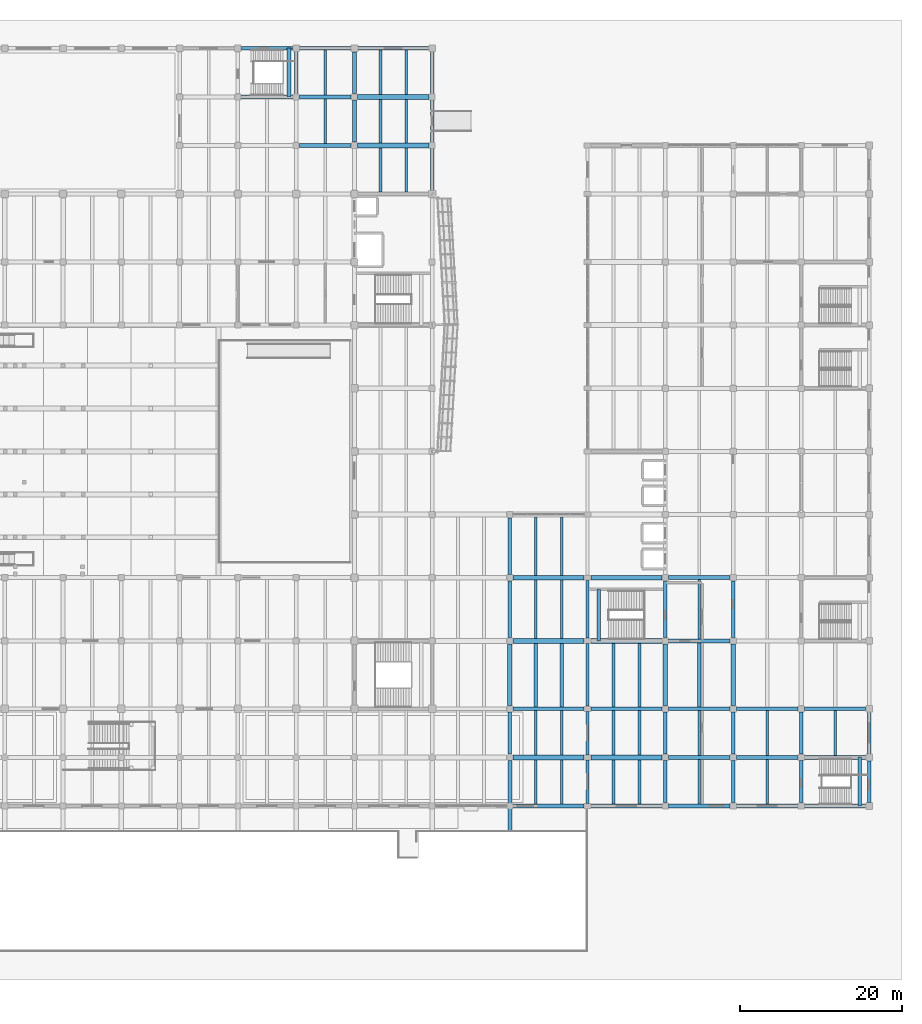
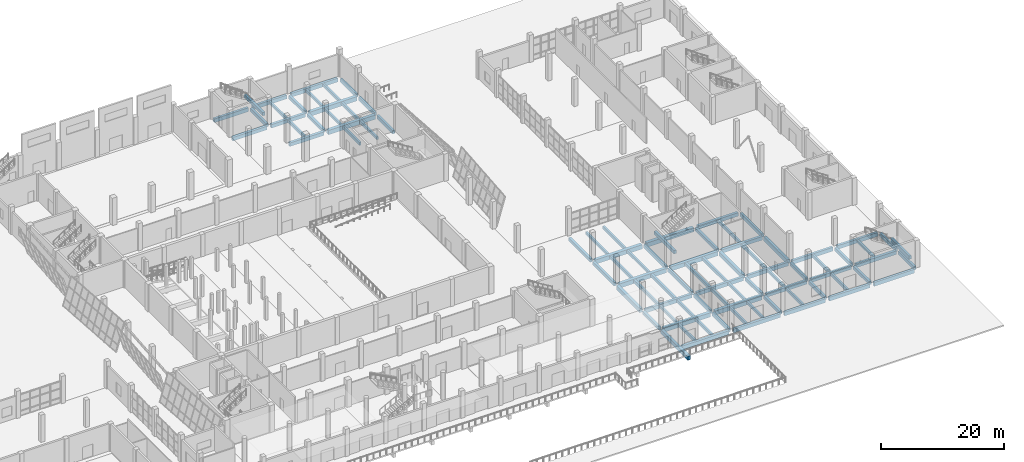
# One storey, part 33 of 78: 90 beams.
"""IFC4 building model written with IfcOpenShell, lengths in metres."""

from ifc_helpers import new_model, si_unit, direction, frame, origin, origin_2d, place, context, subcontext, project, spatial, rectangle, extrude, material, material_profile, profile_set, type_object, element, save


model = new_model("IFC4")

# Units and contexts
model_context = context("Model", 3, precision=1e-05, world=origin(), true_north=direction((0.0, 1.0)))
body_context = subcontext(model_context, "Body", "Model", "MODEL_VIEW")
ifc_project = project(units=[si_unit("LENGTHUNIT", "METRE"), si_unit("AREAUNIT", "SQUARE_METRE"), si_unit("VOLUMEUNIT", "CUBIC_METRE"), si_unit("PLANEANGLEUNIT", "RADIAN"), si_unit("MASSUNIT", "GRAM", prefix="KILO")], contexts=[model_context])

# Site, building, storey
site_placement = place(None, origin())
site = spatial("IfcSite", under=ifc_project, at=site_placement, CompositionType="ELEMENT")
building_placement = place(site_placement, origin())
building = spatial("IfcBuilding", under=site, at=building_placement, Name="Pellamere Symphony Hall", CompositionType="ELEMENT")
storey_placement = place(building_placement, origin())
storey = spatial("IfcBuildingStorey", under=building, at=storey_placement, Name="L00", CompositionType="ELEMENT", Elevation=0.0)

# Beams
ifc_material_1 = material(Name="Concrete 40 MPa", Category="concrete")
ifc_material_profile_1 = material_profile(ifc_material_1, rectangle(XDim=0.60009765625, YDim=0.85009765625, at=origin_2d()), Name="RC 600x850")
ifc_profile_set_1 = profile_set([ifc_material_profile_1], Name="Concrete 40 MPa")
beam_type_1 = type_object("IfcBeamType", Name="RC CB-04 600x850", PredefinedType="BEAM", material=ifc_profile_set_1)
for number, where, z_axis, x_axis, name in (
    (1, (128.800048828125, 24.0, -0.72509765625), (1.0, 0.0, 0.0), (0.0, 1.0, 0.0), "Girder CB-04-X0045 (L00)"),
    (2, (138.449951171875, 24.0, -0.72509765625), (1.0, 0.0, 0.0), (0.0, 1.0, 0.0), "Girder CB-04-X0046 (L00)"),
    (3, (128.800048828125, 38.39990234375, -0.72509765625), (1.0, 0.0, 0.0), (0.0, 1.0, 0.0), "Girder CB-04-X0084 (L00)"),
    (4, (138.449951171875, 38.39990234375, -0.72509765625), (1.0, 0.0, 0.0), (0.0, 1.0, 0.0), "Girder CB-04-X0085 (L00)"),
    (5, (128.800048828125, 46.199951171875, -0.72509765625), (1.0, 0.0, 0.0), (0.0, 1.0, 0.0), "Girder CB-04-X0105 (L00)"),
    (6, (138.449951171875, 46.199951171875, -0.72509765625), (1.0, 0.0, 0.0), (0.0, 1.0, 0.0), "Girder CB-04-X0106 (L00)"),
):
    element("IfcBeam", number, at=place(storey_placement, frame(where, z_axis=z_axis, x_axis=x_axis)), inside=storey, type_object=beam_type_1, Name=name, PredefinedType="BEAM", context=body_context, shape_type="SweptSolid", body=[
        extrude(rectangle(XDim=0.60009765625, YDim=0.85009765625, at=origin_2d()), origin(), (0.0, 0.0, 1.0), 8.75),
    ])
for number, where, z_axis, x_axis, name in (
    (7, (109.60009765625, 99.60009765625, -0.72509765625), (1.0, 0.0, 0.0), (0.0, 1.0, 0.0), "Girder CB-04-X0178 (L00)"),
    (8, (109.60009765625, 105.60009765625, -0.72509765625), (1.0, 0.0, 0.0), (0.0, 1.0, 0.0), "Girder CB-04-X0187 (L00)"),
):
    element("IfcBeam", number, at=place(storey_placement, frame(where, z_axis=z_axis, x_axis=x_axis)), inside=storey, type_object=beam_type_1, Name=name, PredefinedType="BEAM", context=body_context, shape_type="SweptSolid", body=[
        extrude(rectangle(XDim=0.60009765625, YDim=0.85009765625, at=origin_2d()), origin(), (0.0, 0.0, 1.0), 8.7998046875),
    ])
ifc_material_profile_2 = material_profile(ifc_material_1, rectangle(XDim=0.550048828125, YDim=0.800048828125, at=origin_2d()), Name="RC 550x800")
ifc_profile_set_2 = profile_set([ifc_material_profile_2], Name="Concrete 40 MPa")
beam_type_2 = type_object("IfcBeamType", Name="RC CB-05 550x800", PredefinedType="BEAM", material=ifc_profile_set_2)
for number, where, z_axis, x_axis, name in (
    (9, (128.39990234375, 30.39990234375, -0.699951171875), (0.0, 1.0, 0.0), (-1.0, 0.0, 0.0), "Girder CB-05-Y0332 (L00)"),
    (10, (147.60009765625, 30.39990234375, -0.699951171875), (0.0, 1.0, 0.0), (-1.0, 0.0, 0.0), "Girder CB-05-Y0348 (L00)"),
    (11, (156.0, 30.39990234375, -0.699951171875), (0.0, 1.0, 0.0), (-1.0, 0.0, 0.0), "Girder CB-05-Y0359 (L00)"),
):
    element("IfcBeam", number, at=place(storey_placement, frame(where, z_axis=z_axis, x_axis=x_axis)), inside=storey, type_object=beam_type_2, Name=name, PredefinedType="BEAM", context=body_context, shape_type="SweptSolid", body=[
        extrude(rectangle(XDim=0.550048828125, YDim=0.800048828125, at=origin_2d()), origin(), (0.0, 0.0, 1.0), 7.60009765625),
    ])
ifc_material_profile_3 = material_profile(ifc_material_1, rectangle(XDim=0.52001953125, YDim=0.780029296875, at=origin_2d()), Name="RC 520x780")
ifc_profile_set_3 = profile_set([ifc_material_profile_3], Name="Concrete 40 MPa")
beam_type_3 = type_object("IfcBeamType", Name="RC CB-06 520x780", PredefinedType="BEAM", material=ifc_profile_set_3)
beam_1_placement = place(storey_placement, frame((128.39990234375, 14.800048828125, -0.68994140625), z_axis=(0.0, 1.0, 0.0), x_axis=(-1.0, 0.0, 0.0)))
element("IfcBeam", 12, at=beam_1_placement, inside=storey, type_object=beam_type_3, Name="Continuous Cantilever Terrace Girder CB-06-0330 (L00)", PredefinedType="BEAM", context=body_context, shape_type="SweptSolid", body=[
    extrude(rectangle(XDim=0.52001953125, YDim=0.780029296875, at=origin_2d()), origin(), (0.0, 0.0, 1.0), 8.800048828125),
])
ifc_material_profile_4 = material_profile(ifc_material_1, rectangle(XDim=0.5, YDim=0.699951171875, at=origin_2d()), Name="RC 500x700")
ifc_profile_set_4 = profile_set([ifc_material_profile_4], Name="Concrete 40 MPa")
beam_type_4 = type_object("IfcBeamType", Name="RC CB-07 500x700", PredefinedType="BEAM", material=ifc_profile_set_4)
for number, where, z_axis, x_axis, name in (
    (13, (148.0, 24.0, -0.64990234375), (1.0, 0.0, 0.0), (0.0, 1.0, 0.0), "Girder CB-07-X0047 (L00)"),
    (14, (156.39990234375, 24.0, -0.64990234375), (1.0, 0.0, 0.0), (0.0, 1.0, 0.0), "Girder CB-07-X0048 (L00)"),
):
    element("IfcBeam", number, at=place(storey_placement, frame(where, z_axis=z_axis, x_axis=x_axis)), inside=storey, type_object=beam_type_4, Name=name, PredefinedType="BEAM", context=body_context, shape_type="SweptSolid", body=[
        extrude(rectangle(XDim=0.5, YDim=0.699951171875, at=origin_2d()), origin(), (0.0, 0.0, 1.0), 7.60009765625),
    ])
beam_2_placement = place(storey_placement, frame((164.800048828125, 24.0, -0.64990234375), z_axis=(1.0, 0.0, 0.0), x_axis=(0.0, 1.0, 0.0)))
element("IfcBeam", 15, at=beam_2_placement, inside=storey, type_object=beam_type_4, Name="Girder CB-07-X0049 (L00)", PredefinedType="BEAM", context=body_context, shape_type="SweptSolid", body=[
    extrude(rectangle(XDim=0.5, YDim=0.699951171875, at=origin_2d()), origin(), (0.0, 0.0, 1.0), 7.56005859375),
])
for number, where, z_axis, x_axis, name in (
    (16, (148.0, 38.39990234375, -0.64990234375), (1.0, 0.0, 0.0), (0.0, 1.0, 0.0), "Girder CB-07-X0086 (L00)"),
    (17, (148.0, 46.199951171875, -0.64990234375), (1.0, 0.0, 0.0), (0.0, 1.0, 0.0), "Girder CB-07-X0107 (L00)"),
):
    element("IfcBeam", number, at=place(storey_placement, frame(where, z_axis=z_axis, x_axis=x_axis)), inside=storey, type_object=beam_type_4, Name=name, PredefinedType="BEAM", context=body_context, shape_type="SweptSolid", body=[
        extrude(rectangle(XDim=0.5, YDim=0.699951171875, at=origin_2d()), origin(), (0.0, 0.0, 1.0), 7.60009765625),
    ])
for number, where, z_axis, x_axis, name in (
    (18, (102.39990234375, 99.60009765625, -0.64990234375), (1.0, 0.0, 0.0), (0.0, 1.0, 0.0), "Girder CB-07-X0177 (L00)"),
    (19, (95.199951171875, 105.60009765625, -0.64990234375), (1.0, 0.0, 0.0), (0.0, 1.0, 0.0), "Girder CB-07-X0185 (L00)"),
    (20, (102.39990234375, 105.60009765625, -0.64990234375), (1.0, 0.0, 0.0), (0.0, 1.0, 0.0), "Girder CB-07-X0186 (L00)"),
):
    element("IfcBeam", number, at=place(storey_placement, frame(where, z_axis=z_axis, x_axis=x_axis)), inside=storey, type_object=beam_type_4, Name=name, PredefinedType="BEAM", context=body_context, shape_type="SweptSolid", body=[
        extrude(rectangle(XDim=0.5, YDim=0.699951171875, at=origin_2d()), origin(), (0.0, 0.0, 1.0), 6.400146484375),
    ])
ifc_material_profile_5 = material_profile(ifc_material_1, rectangle(XDim=0.449951171875, YDim=0.64990234375, at=origin_2d()), Name="RC 450x650")
ifc_profile_set_5 = profile_set([ifc_material_profile_5], Name="Concrete 40 MPa")
beam_type_5 = type_object("IfcBeamType", Name="RC CB-08 450x650", PredefinedType="BEAM", material=ifc_profile_set_5)
beam_3_placement = place(storey_placement, frame((102.0, 106.0, -0.625), z_axis=(0.0, 1.0, 0.0), x_axis=(-1.0, 0.0, 0.0)))
element("IfcBeam", 21, at=beam_3_placement, inside=storey, type_object=beam_type_5, Name="Girder CB-08-Y0303 (L00)", PredefinedType="BEAM", context=body_context, shape_type="SweptSolid", body=[
    extrude(rectangle(XDim=0.449951171875, YDim=0.64990234375, at=origin_2d()), origin(), (0.0, 0.0, 1.0), 5.159912109375),
])
beam_4_placement = place(storey_placement, frame((109.199951171875, 100.0, -0.625), z_axis=(0.0, 1.0, 0.0), x_axis=(-1.0, 0.0, 0.0)))
element("IfcBeam", 22, at=beam_4_placement, inside=storey, type_object=beam_type_5, Name="Girder CB-08-Y0315 (L00)", PredefinedType="BEAM", context=body_context, shape_type="SweptSolid", body=[
    extrude(rectangle(XDim=0.449951171875, YDim=0.64990234375, at=origin_2d()), origin(), (0.0, 0.0, 1.0), 5.199951171875),
])
beam_5_placement = place(storey_placement, frame((109.199951171875, 106.0, -0.625), z_axis=(0.0, 1.0, 0.0), x_axis=(-1.0, 0.0, 0.0)))
element("IfcBeam", 23, at=beam_5_placement, inside=storey, type_object=beam_type_5, Name="Girder CB-08-Y0316 (L00)", PredefinedType="BEAM", context=body_context, shape_type="SweptSolid", body=[
    extrude(rectangle(XDim=0.449951171875, YDim=0.64990234375, at=origin_2d()), origin(), (0.0, 0.0, 1.0), 5.159912109375),
])
beam_6_placement = place(storey_placement, frame((128.39990234375, 24.39990234375, -0.625), z_axis=(0.0, 1.0, 0.0), x_axis=(-1.0, 0.0, 0.0)))
element("IfcBeam", 24, at=beam_6_placement, inside=storey, type_object=beam_type_5, Name="Girder CB-08-Y0331 (L00)", PredefinedType="BEAM", context=body_context, shape_type="SweptSolid", body=[
    extrude(rectangle(XDim=0.449951171875, YDim=0.64990234375, at=origin_2d()), origin(), (0.0, 0.0, 1.0), 5.2001953125),
])
for number, where, z_axis, x_axis, name in (
    (25, (128.39990234375, 38.800048828125, -0.625), (0.0, 1.0, 0.0), (-1.0, 0.0, 0.0), "Girder CB-08-Y0333 (L00)"),
    (26, (128.39990234375, 46.60009765625, -0.625), (0.0, 1.0, 0.0), (-1.0, 0.0, 0.0), "Girder CB-08-Y0334 (L00)"),
):
    element("IfcBeam", number, at=place(storey_placement, frame(where, z_axis=z_axis, x_axis=x_axis)), inside=storey, type_object=beam_type_5, Name=name, PredefinedType="BEAM", context=body_context, shape_type="SweptSolid", body=[
        extrude(rectangle(XDim=0.449951171875, YDim=0.64990234375, at=origin_2d()), origin(), (0.0, 0.0, 1.0), 7.0),
    ])
for number, where, z_axis, x_axis, name in (
    (27, (147.60009765625, 18.39990234375, -0.625), (0.0, 1.0, 0.0), (-1.0, 0.0, 0.0), "Girder CB-08-Y0346 (L00)"),
    (28, (147.60009765625, 24.39990234375, -0.625), (0.0, 1.0, 0.0), (-1.0, 0.0, 0.0), "Girder CB-08-Y0347 (L00)"),
):
    element("IfcBeam", number, at=place(storey_placement, frame(where, z_axis=z_axis, x_axis=x_axis)), inside=storey, type_object=beam_type_5, Name=name, PredefinedType="BEAM", context=body_context, shape_type="SweptSolid", body=[
        extrude(rectangle(XDim=0.449951171875, YDim=0.64990234375, at=origin_2d()), origin(), (0.0, 0.0, 1.0), 5.2001953125),
    ])
beam_7_placement = place(storey_placement, frame((147.60009765625, 38.800048828125, -0.625), z_axis=(0.0, 1.0, 0.0), x_axis=(-1.0, 0.0, 0.0)))
element("IfcBeam", 29, at=beam_7_placement, inside=storey, type_object=beam_type_5, Name="Girder CB-08-Y0349 (L00)", PredefinedType="BEAM", context=body_context, shape_type="SweptSolid", body=[
    extrude(rectangle(XDim=0.449951171875, YDim=0.64990234375, at=origin_2d()), origin(), (0.0, 0.0, 1.0), 7.0),
])
for number, where, z_axis, x_axis, name in (
    (30, (156.0, 18.39990234375, -0.625), (0.0, 1.0, 0.0), (-1.0, 0.0, 0.0), "Girder CB-08-Y0357 (L00)"),
    (31, (156.0, 24.39990234375, -0.625), (0.0, 1.0, 0.0), (-1.0, 0.0, 0.0), "Girder CB-08-Y0358 (L00)"),
):
    element("IfcBeam", number, at=place(storey_placement, frame(where, z_axis=z_axis, x_axis=x_axis)), inside=storey, type_object=beam_type_5, Name=name, PredefinedType="BEAM", context=body_context, shape_type="SweptSolid", body=[
        extrude(rectangle(XDim=0.449951171875, YDim=0.64990234375, at=origin_2d()), origin(), (0.0, 0.0, 1.0), 5.2001953125),
    ])
beam_8_placement = place(storey_placement, frame((156.0, 38.800048828125, -0.625), z_axis=(0.0, 1.0, 0.0), x_axis=(-1.0, 0.0, 0.0)))
element("IfcBeam", 32, at=beam_8_placement, inside=storey, type_object=beam_type_5, Name="Girder CB-08-Y0360 (L00)", PredefinedType="BEAM", context=body_context, shape_type="SweptSolid", body=[
    extrude(rectangle(XDim=0.449951171875, YDim=0.64990234375, at=origin_2d()), origin(), (0.0, 0.0, 1.0), 7.0),
])
for number, where, z_axis, x_axis, name in (
    (33, (164.39990234375, 18.39990234375, -0.625), (0.0, 1.0, 0.0), (-1.0, 0.0, 0.0), "Girder CB-08-Y0368 (L00)"),
    (34, (164.39990234375, 24.39990234375, -0.625), (0.0, 1.0, 0.0), (-1.0, 0.0, 0.0), "Girder CB-08-Y0369 (L00)"),
):
    element("IfcBeam", number, at=place(storey_placement, frame(where, z_axis=z_axis, x_axis=x_axis)), inside=storey, type_object=beam_type_5, Name=name, PredefinedType="BEAM", context=body_context, shape_type="SweptSolid", body=[
        extrude(rectangle(XDim=0.449951171875, YDim=0.64990234375, at=origin_2d()), origin(), (0.0, 0.0, 1.0), 5.2001953125),
    ])
beam_9_placement = place(storey_placement, frame((139.367431640625, 38.3798828125, 2.155029296875), z_axis=(0.0, 1.0, 0.0), x_axis=(-1.0, 0.0, 0.0)))
element("IfcBeam", 35, at=beam_9_placement, inside=storey, type_object=beam_type_5, Name="Stair ST02-L00 Half Landing Support Beam (L00)", PredefinedType="BEAM", context=body_context, shape_type="SweptSolid", body=[
    extrude(rectangle(XDim=0.449951171875, YDim=0.64990234375, at=origin_2d()), origin(), (0.0, 0.0, 1.0), 6.440185546875),
])
for number, where, z_axis, x_axis, name in (
    (36, (101.107421875, 105.580078125, 2.155029296875), (0.0, 1.0, 0.0), (-1.0, 0.0, 0.0), "Stair ST11-L00 Half Landing Support Beam (L00)"),
    (37, (171.607421875, 17.97998046875, 2.155029296875), (0.0, 1.0, 0.0), (-1.0, 0.0, 0.0), "Stair ST12-L00 Half Landing Support Beam (L00)"),
):
    element("IfcBeam", number, at=place(storey_placement, frame(where, z_axis=z_axis, x_axis=x_axis)), inside=storey, type_object=beam_type_5, Name=name, PredefinedType="BEAM", context=body_context, shape_type="SweptSolid", body=[
        extrude(rectangle(XDim=0.449951171875, YDim=0.64990234375, at=origin_2d()), origin(), (0.0, 0.0, 1.0), 6.0400390625),
    ])
ifc_material_profile_6 = material_profile(ifc_material_1, rectangle(XDim=0.39990234375, YDim=0.60009765625, at=origin_2d()), Name="RC 400x600")
ifc_profile_set_6 = profile_set([ifc_material_profile_6], Name="Concrete 40 MPa")
beam_type_6 = type_object("IfcBeamType", Name="RC CB-09 400x600", PredefinedType="BEAM", material=ifc_profile_set_6)
for number, where, z_axis, x_axis, name in (
    (38, (131.60009765625, 30.22509765625, -0.614990234375), (0.0, 1.0, 0.0), (-1.0, 0.0, 0.0), "Secondary Floor Beam CB-09-A1604 (L00)"),
    (39, (134.800048828125, 30.22509765625, -0.614990234375), (0.0, 1.0, 0.0), (-1.0, 0.0, 0.0), "Secondary Floor Beam CB-09-B1604 (L00)"),
    (40, (141.199951171875, 30.22509765625, -0.614990234375), (0.0, 1.0, 0.0), (-1.0, 0.0, 0.0), "Secondary Floor Beam CB-09-A1704 (L00)"),
    (41, (144.39990234375, 30.22509765625, -0.614990234375), (0.0, 1.0, 0.0), (-1.0, 0.0, 0.0), "Secondary Floor Beam CB-09-B1704 (L00)"),
):
    element("IfcBeam", number, at=place(storey_placement, frame(where, z_axis=z_axis, x_axis=x_axis)), inside=storey, type_object=beam_type_6, Name=name, PredefinedType="BEAM", context=body_context, shape_type="SweptSolid", body=[
        extrude(rectangle(XDim=0.39990234375, YDim=0.60009765625, at=origin_2d()), origin(), (0.0, 0.0, 1.0), 7.875),
    ])
beam_10_placement = place(storey_placement, frame((151.800048828125, 30.22509765625, -0.614990234375), z_axis=(0.0, 1.0, 0.0), x_axis=(-1.0, 0.0, 0.0)))
element("IfcBeam", 42, at=beam_10_placement, inside=storey, type_object=beam_type_6, Name="Secondary Floor Beam CB-09-M1804 (L00)", PredefinedType="BEAM", context=body_context, shape_type="SweptSolid", body=[
    extrude(rectangle(XDim=0.39990234375, YDim=0.60009765625, at=origin_2d()), origin(), (0.0, 0.0, 1.0), 7.9248046875),
])
ifc_material_2 = material(Name="Concrete 35 MPa", Category="concrete")
ifc_material_profile_7 = material_profile(ifc_material_2, rectangle(XDim=0.35009765625, YDim=0.550048828125, at=origin_2d()), Name="RC 350x550")
ifc_profile_set_7 = profile_set([ifc_material_profile_7], Name="Concrete 35 MPa")
beam_type_7 = type_object("IfcBeamType", Name="RC CB-10 350x550", PredefinedType="BEAM", material=ifc_profile_set_7)
beam_11_placement = place(storey_placement, frame((105.60009765625, 99.85009765625, -0.590087890625), z_axis=(0.0, 1.0, 0.0), x_axis=(-1.0, 0.0, 0.0)))
element("IfcBeam", 43, at=beam_11_placement, inside=storey, type_object=beam_type_7, Name="Secondary Floor Beam CB-10-M1313 (L00)", PredefinedType="BEAM", context=body_context, shape_type="SweptSolid", body=[
    extrude(rectangle(XDim=0.35009765625, YDim=0.550048828125, at=origin_2d()), origin(), (0.0, 0.0, 1.0), 5.5),
])
beam_12_placement = place(storey_placement, frame((105.60009765625, 105.85009765625, -0.590087890625), z_axis=(0.0, 1.0, 0.0), x_axis=(-1.0, 0.0, 0.0)))
element("IfcBeam", 44, at=beam_12_placement, inside=storey, type_object=beam_type_7, Name="Secondary Floor Beam CB-10-M1314 (L00)", PredefinedType="BEAM", context=body_context, shape_type="SweptSolid", body=[
    extrude(rectangle(XDim=0.35009765625, YDim=0.550048828125, at=origin_2d()), origin(), (0.0, 0.0, 1.0), 5.52490234375),
])
for number, where, z_axis, x_axis, name in (
    (45, (112.39990234375, 93.824951171875, -0.590087890625), (0.0, 1.0, 0.0), (-1.0, 0.0, 0.0), "Secondary Floor Beam CB-10-A1412 (L00)"),
    (46, (115.60009765625, 93.824951171875, -0.590087890625), (0.0, 1.0, 0.0), (-1.0, 0.0, 0.0), "Secondary Floor Beam CB-10-B1412 (L00)"),
):
    element("IfcBeam", number, at=place(storey_placement, frame(where, z_axis=z_axis, x_axis=x_axis)), inside=storey, type_object=beam_type_7, Name=name, PredefinedType="BEAM", context=body_context, shape_type="SweptSolid", body=[
        extrude(rectangle(XDim=0.35009765625, YDim=0.550048828125, at=origin_2d()), origin(), (0.0, 0.0, 1.0), 5.47509765625),
    ])
for number, where, z_axis, x_axis, name in (
    (47, (112.39990234375, 99.89990234375, -0.590087890625), (0.0, 1.0, 0.0), (-1.0, 0.0, 0.0), "Secondary Floor Beam CB-10-A1413 (L00)"),
    (48, (115.60009765625, 99.89990234375, -0.590087890625), (0.0, 1.0, 0.0), (-1.0, 0.0, 0.0), "Secondary Floor Beam CB-10-B1413 (L00)"),
):
    element("IfcBeam", number, at=place(storey_placement, frame(where, z_axis=z_axis, x_axis=x_axis)), inside=storey, type_object=beam_type_7, Name=name, PredefinedType="BEAM", context=body_context, shape_type="SweptSolid", body=[
        extrude(rectangle(XDim=0.35009765625, YDim=0.550048828125, at=origin_2d()), origin(), (0.0, 0.0, 1.0), 5.400146484375),
    ])
for number, where, z_axis, x_axis, name in (
    (49, (112.39990234375, 105.89990234375, -0.590087890625), (0.0, 1.0, 0.0), (-1.0, 0.0, 0.0), "Secondary Floor Beam CB-10-A1414 (L00)"),
    (50, (115.60009765625, 105.89990234375, -0.590087890625), (0.0, 1.0, 0.0), (-1.0, 0.0, 0.0), "Secondary Floor Beam CB-10-B1414 (L00)"),
):
    element("IfcBeam", number, at=place(storey_placement, frame(where, z_axis=z_axis, x_axis=x_axis)), inside=storey, type_object=beam_type_7, Name=name, PredefinedType="BEAM", context=body_context, shape_type="SweptSolid", body=[
        extrude(rectangle(XDim=0.35009765625, YDim=0.550048828125, at=origin_2d()), origin(), (0.0, 0.0, 1.0), 5.47509765625),
    ])
for number, where, z_axis, x_axis, name in (
    (51, (131.60009765625, 18.22509765625, -0.590087890625), (0.0, 1.0, 0.0), (-1.0, 0.0, 0.0), "Secondary Floor Beam CB-10-A1602 (L00)"),
    (52, (134.800048828125, 18.22509765625, -0.590087890625), (0.0, 1.0, 0.0), (-1.0, 0.0, 0.0), "Secondary Floor Beam CB-10-B1602 (L00)"),
    (53, (131.60009765625, 24.300048828125, -0.590087890625), (0.0, 1.0, 0.0), (-1.0, 0.0, 0.0), "Secondary Floor Beam CB-10-A1603 (L00)"),
    (54, (134.800048828125, 24.300048828125, -0.590087890625), (0.0, 1.0, 0.0), (-1.0, 0.0, 0.0), "Secondary Floor Beam CB-10-B1603 (L00)"),
):
    element("IfcBeam", number, at=place(storey_placement, frame(where, z_axis=z_axis, x_axis=x_axis)), inside=storey, type_object=beam_type_7, Name=name, PredefinedType="BEAM", context=body_context, shape_type="SweptSolid", body=[
        extrude(rectangle(XDim=0.35009765625, YDim=0.550048828125, at=origin_2d()), origin(), (0.0, 0.0, 1.0), 5.474853515625),
    ])
for number, where, z_axis, x_axis, name in (
    (55, (131.60009765625, 38.699951171875, -0.590087890625), (0.0, 1.0, 0.0), (-1.0, 0.0, 0.0), "Secondary Floor Beam CB-10-A1605 (L00)"),
    (56, (134.800048828125, 38.699951171875, -0.590087890625), (0.0, 1.0, 0.0), (-1.0, 0.0, 0.0), "Secondary Floor Beam CB-10-B1605 (L00)"),
    (57, (131.60009765625, 46.5, -0.590087890625), (0.0, 1.0, 0.0), (-1.0, 0.0, 0.0), "Secondary Floor Beam CB-10-A1606 (L00)"),
    (58, (134.800048828125, 46.5, -0.590087890625), (0.0, 1.0, 0.0), (-1.0, 0.0, 0.0), "Secondary Floor Beam CB-10-B1606 (L00)"),
):
    element("IfcBeam", number, at=place(storey_placement, frame(where, z_axis=z_axis, x_axis=x_axis)), inside=storey, type_object=beam_type_7, Name=name, PredefinedType="BEAM", context=body_context, shape_type="SweptSolid", body=[
        extrude(rectangle(XDim=0.35009765625, YDim=0.550048828125, at=origin_2d()), origin(), (0.0, 0.0, 1.0), 7.199951171875),
    ])
for number, where, z_axis, x_axis, name in (
    (59, (141.199951171875, 18.22509765625, -0.590087890625), (0.0, 1.0, 0.0), (-1.0, 0.0, 0.0), "Secondary Floor Beam CB-10-A1702 (L00)"),
    (60, (144.39990234375, 18.22509765625, -0.590087890625), (0.0, 1.0, 0.0), (-1.0, 0.0, 0.0), "Secondary Floor Beam CB-10-B1702 (L00)"),
    (61, (141.199951171875, 24.300048828125, -0.590087890625), (0.0, 1.0, 0.0), (-1.0, 0.0, 0.0), "Secondary Floor Beam CB-10-A1703 (L00)"),
    (62, (144.39990234375, 24.300048828125, -0.590087890625), (0.0, 1.0, 0.0), (-1.0, 0.0, 0.0), "Secondary Floor Beam CB-10-B1703 (L00)"),
):
    element("IfcBeam", number, at=place(storey_placement, frame(where, z_axis=z_axis, x_axis=x_axis)), inside=storey, type_object=beam_type_7, Name=name, PredefinedType="BEAM", context=body_context, shape_type="SweptSolid", body=[
        extrude(rectangle(XDim=0.35009765625, YDim=0.550048828125, at=origin_2d()), origin(), (0.0, 0.0, 1.0), 5.474853515625),
    ])
for number, where, z_axis, x_axis, name in (
    (63, (151.800048828125, 18.22509765625, -0.590087890625), (0.0, 1.0, 0.0), (-1.0, 0.0, 0.0), "Secondary Floor Beam CB-10-M1802 (L00)"),
    (64, (151.800048828125, 24.25, -0.590087890625), (0.0, 1.0, 0.0), (-1.0, 0.0, 0.0), "Secondary Floor Beam CB-10-M1803 (L00)"),
):
    element("IfcBeam", number, at=place(storey_placement, frame(where, z_axis=z_axis, x_axis=x_axis)), inside=storey, type_object=beam_type_7, Name=name, PredefinedType="BEAM", context=body_context, shape_type="SweptSolid", body=[
        extrude(rectangle(XDim=0.35009765625, YDim=0.550048828125, at=origin_2d()), origin(), (0.0, 0.0, 1.0), 5.52490234375),
    ])
beam_13_placement = place(storey_placement, frame((151.800048828125, 38.64990234375, -0.590087890625), z_axis=(0.0, 1.0, 0.0), x_axis=(-1.0, 0.0, 0.0)))
element("IfcBeam", 65, at=beam_13_placement, inside=storey, type_object=beam_type_7, Name="Secondary Floor Beam CB-10-M1805 (L00)", PredefinedType="BEAM", context=body_context, shape_type="SweptSolid", body=[
    extrude(rectangle(XDim=0.35009765625, YDim=0.550048828125, at=origin_2d()), origin(), (0.0, 0.0, 1.0), 7.300048828125),
])
for number, where, z_axis, x_axis, name in (
    (66, (160.199951171875, 18.22509765625, -0.590087890625), (0.0, 1.0, 0.0), (-1.0, 0.0, 0.0), "Secondary Floor Beam CB-10-M1902 (L00)"),
    (67, (160.199951171875, 24.25, -0.590087890625), (0.0, 1.0, 0.0), (-1.0, 0.0, 0.0), "Secondary Floor Beam CB-10-M1903 (L00)"),
    (68, (168.60009765625, 24.25, -0.590087890625), (0.0, 1.0, 0.0), (-1.0, 0.0, 0.0), "Secondary Floor Beam CB-10-M2003 (L00)"),
):
    element("IfcBeam", number, at=place(storey_placement, frame(where, z_axis=z_axis, x_axis=x_axis)), inside=storey, type_object=beam_type_7, Name=name, PredefinedType="BEAM", context=body_context, shape_type="SweptSolid", body=[
        extrude(rectangle(XDim=0.35009765625, YDim=0.550048828125, at=origin_2d()), origin(), (0.0, 0.0, 1.0), 5.52490234375),
    ])
ifc_material_profile_8 = material_profile(ifc_material_1, rectangle(XDim=0.449951171875, YDim=0.75, at=origin_2d()), Name="RC 450x750")
ifc_profile_set_8 = profile_set([ifc_material_profile_8], Name="Concrete 40 MPa")
beam_type_8 = type_object("IfcBeamType", Name="RC CB-12 450x750", PredefinedType="SPANDREL", material=ifc_profile_set_8)
for number, where, z_axis, x_axis, name in (
    (69, (128.800048828125, 18.0, -0.675048828125), (1.0, 0.0, 0.0), (0.0, 1.0, 0.0), "Girder CB-12-X0027 (L00)"),
    (70, (138.449951171875, 18.0, -0.675048828125), (1.0, 0.0, 0.0), (0.0, 1.0, 0.0), "Girder CB-12-X0028 (L00)"),
):
    element("IfcBeam", number, at=place(storey_placement, frame(where, z_axis=z_axis, x_axis=x_axis)), inside=storey, type_object=beam_type_8, Name=name, PredefinedType="SPANDREL", context=body_context, shape_type="SweptSolid", body=[
        extrude(rectangle(XDim=0.449951171875, YDim=0.75, at=origin_2d()), origin(), (0.0, 0.0, 1.0), 8.75),
    ])
for number, where, z_axis, x_axis, name in (
    (71, (148.0, 18.0, -0.675048828125), (1.0, 0.0, 0.0), (0.0, 1.0, 0.0), "Girder CB-12-X0029 (L00)"),
    (72, (156.39990234375, 18.0, -0.675048828125), (1.0, 0.0, 0.0), (0.0, 1.0, 0.0), "Girder CB-12-X0030 (L00)"),
):
    element("IfcBeam", number, at=place(storey_placement, frame(where, z_axis=z_axis, x_axis=x_axis)), inside=storey, type_object=beam_type_8, Name=name, PredefinedType="SPANDREL", context=body_context, shape_type="SweptSolid", body=[
        extrude(rectangle(XDim=0.449951171875, YDim=0.75, at=origin_2d()), origin(), (0.0, 0.0, 1.0), 7.60009765625),
    ])
beam_14_placement = place(storey_placement, frame((164.800048828125, 18.0, -0.675048828125), z_axis=(1.0, 0.0, 0.0), x_axis=(0.0, 1.0, 0.0)))
element("IfcBeam", 73, at=beam_14_placement, inside=storey, type_object=beam_type_8, Name="Girder CB-12-X0031 (L00)", PredefinedType="SPANDREL", context=body_context, shape_type="SweptSolid", body=[
    extrude(rectangle(XDim=0.449951171875, YDim=0.75, at=origin_2d()), origin(), (0.0, 0.0, 1.0), 7.56005859375),
])
for number, where, z_axis, x_axis, name in (
    (74, (128.800048828125, 30.0, -0.675048828125), (1.0, 0.0, 0.0), (0.0, 1.0, 0.0), "Girder CB-12-X0063 (L00)"),
    (75, (138.449951171875, 30.0, -0.675048828125), (1.0, 0.0, 0.0), (0.0, 1.0, 0.0), "Girder CB-12-X0064 (L00)"),
):
    element("IfcBeam", number, at=place(storey_placement, frame(where, z_axis=z_axis, x_axis=x_axis)), inside=storey, type_object=beam_type_8, Name=name, PredefinedType="SPANDREL", context=body_context, shape_type="SweptSolid", body=[
        extrude(rectangle(XDim=0.449951171875, YDim=0.75, at=origin_2d()), origin(), (0.0, 0.0, 1.0), 8.75),
    ])
for number, where, z_axis, x_axis, name in (
    (76, (148.0, 30.0, -0.675048828125), (1.0, 0.0, 0.0), (0.0, 1.0, 0.0), "Girder CB-12-X0065 (L00)"),
    (77, (156.39990234375, 30.0, -0.675048828125), (1.0, 0.0, 0.0), (0.0, 1.0, 0.0), "Girder CB-12-X0066 (L00)"),
):
    element("IfcBeam", number, at=place(storey_placement, frame(where, z_axis=z_axis, x_axis=x_axis)), inside=storey, type_object=beam_type_8, Name=name, PredefinedType="SPANDREL", context=body_context, shape_type="SweptSolid", body=[
        extrude(rectangle(XDim=0.449951171875, YDim=0.75, at=origin_2d()), origin(), (0.0, 0.0, 1.0), 7.60009765625),
    ])
beam_15_placement = place(storey_placement, frame((164.800048828125, 30.0, -0.675048828125), z_axis=(1.0, 0.0, 0.0), x_axis=(0.0, 1.0, 0.0)))
element("IfcBeam", 78, at=beam_15_placement, inside=storey, type_object=beam_type_8, Name="Girder CB-12-X0067 (L00)", PredefinedType="SPANDREL", context=body_context, shape_type="SweptSolid", body=[
    extrude(rectangle(XDim=0.449951171875, YDim=0.75, at=origin_2d()), origin(), (0.0, 0.0, 1.0), 7.56005859375),
])
for number, where, z_axis, x_axis, name in (
    (79, (95.239990234375, 111.60009765625, -0.675048828125), (1.0, 0.0, 0.0), (0.0, 1.0, 0.0), "Girder CB-12-X0194 (L00)"),
    (80, (102.43994140625, 111.60009765625, -0.675048828125), (1.0, 0.0, 0.0), (0.0, 1.0, 0.0), "Girder CB-12-X0195 (L00)"),
):
    element("IfcBeam", number, at=place(storey_placement, frame(where, z_axis=z_axis, x_axis=x_axis)), inside=storey, type_object=beam_type_8, Name=name, PredefinedType="SPANDREL", context=body_context, shape_type="SweptSolid", body=[
        extrude(rectangle(XDim=0.449951171875, YDim=0.75, at=origin_2d()), origin(), (0.0, 0.0, 1.0), 6.320068359375),
    ])
beam_16_placement = place(storey_placement, frame((109.639892578125, 111.60009765625, -0.675048828125), z_axis=(1.0, 0.0, 0.0), x_axis=(0.0, 1.0, 0.0)))
element("IfcBeam", 81, at=beam_16_placement, inside=storey, type_object=beam_type_8, Name="Girder CB-12-X0196 (L00)", PredefinedType="SPANDREL", context=body_context, shape_type="SweptSolid", body=[
    extrude(rectangle(XDim=0.449951171875, YDim=0.75, at=origin_2d()), origin(), (0.0, 0.0, 1.0), 8.72021484375),
])
ifc_material_profile_9 = material_profile(ifc_material_1, rectangle(XDim=0.39990234375, YDim=0.699951171875, at=origin_2d()), Name="RC 400x700")
ifc_profile_set_9 = profile_set([ifc_material_profile_9], Name="Concrete 40 MPa")
beam_type_9 = type_object("IfcBeamType", Name="RC CB-13 400x700", PredefinedType="SPANDREL", material=ifc_profile_set_9)
beam_17_placement = place(storey_placement, frame((118.800048828125, 94.074951171875, -0.64990234375), z_axis=(0.0, 1.0, 0.0), x_axis=(-1.0, 0.0, 0.0)))
element("IfcBeam", 82, at=beam_17_placement, inside=storey, type_object=beam_type_9, Name="Girder CB-13-Y0327 (L00)", PredefinedType="SPANDREL", context=body_context, shape_type="SweptSolid", body=[
    extrude(rectangle(XDim=0.39990234375, YDim=0.699951171875, at=origin_2d()), origin(), (0.0, 0.0, 1.0), 5.125),
])
beam_18_placement = place(storey_placement, frame((118.800048828125, 100.0, -0.64990234375), z_axis=(0.0, 1.0, 0.0), x_axis=(-1.0, 0.0, 0.0)))
element("IfcBeam", 83, at=beam_18_placement, inside=storey, type_object=beam_type_9, Name="Girder CB-13-Y0328 (L00)", PredefinedType="SPANDREL", context=body_context, shape_type="SweptSolid", body=[
    extrude(rectangle(XDim=0.39990234375, YDim=0.699951171875, at=origin_2d()), origin(), (0.0, 0.0, 1.0), 5.199951171875),
])
beam_19_placement = place(storey_placement, frame((118.800048828125, 106.0, -0.64990234375), z_axis=(0.0, 1.0, 0.0), x_axis=(-1.0, 0.0, 0.0)))
element("IfcBeam", 84, at=beam_19_placement, inside=storey, type_object=beam_type_9, Name="Girder CB-13-Y0329 (L00)", PredefinedType="SPANDREL", context=body_context, shape_type="SweptSolid", body=[
    extrude(rectangle(XDim=0.39990234375, YDim=0.699951171875, at=origin_2d()), origin(), (0.0, 0.0, 1.0), 5.159912109375),
])
for number, where, z_axis, x_axis, name in (
    (85, (138.0, 18.324951171875, -0.64990234375), (0.0, 1.0, 0.0), (-1.0, 0.0, 0.0), "Girder CB-13-Y0335 (L00)"),
    (86, (138.0, 24.324951171875, -0.64990234375), (0.0, 1.0, 0.0), (-1.0, 0.0, 0.0), "Girder CB-13-Y0336 (L00)"),
):
    element("IfcBeam", number, at=place(storey_placement, frame(where, z_axis=z_axis, x_axis=x_axis)), inside=storey, type_object=beam_type_9, Name=name, PredefinedType="SPANDREL", context=body_context, shape_type="SweptSolid", body=[
        extrude(rectangle(XDim=0.39990234375, YDim=0.699951171875, at=origin_2d()), origin(), (0.0, 0.0, 1.0), 5.35009765625),
    ])
beam_20_placement = place(storey_placement, frame((138.0, 30.324951171875, -0.64990234375), z_axis=(0.0, 1.0, 0.0), x_axis=(-1.0, 0.0, 0.0)))
element("IfcBeam", 87, at=beam_20_placement, inside=storey, type_object=beam_type_9, Name="Girder CB-13-Y0337 (L00)", PredefinedType="SPANDREL", context=body_context, shape_type="SweptSolid", body=[
    extrude(rectangle(XDim=0.39990234375, YDim=0.699951171875, at=origin_2d()), origin(), (0.0, 0.0, 1.0), 7.75),
])
beam_21_placement = place(storey_placement, frame((138.0, 38.72509765625, -0.64990234375), z_axis=(0.0, 1.0, 0.0), x_axis=(-1.0, 0.0, 0.0)))
element("IfcBeam", 88, at=beam_21_placement, inside=storey, type_object=beam_type_9, Name="Girder CB-13-Y0338 (L00)", PredefinedType="SPANDREL", context=body_context, shape_type="SweptSolid", body=[
    extrude(rectangle(XDim=0.39990234375, YDim=0.699951171875, at=origin_2d()), origin(), (0.0, 0.0, 1.0), 7.14990234375),
])
for number, where, z_axis, x_axis, name in (
    (89, (172.800048828125, 18.43994140625, -0.64990234375), (0.0, 1.0, 0.0), (-1.0, 0.0, 0.0), "Girder CB-13-Y0379 (L00)"),
    (90, (172.800048828125, 24.43994140625, -0.64990234375), (0.0, 1.0, 0.0), (-1.0, 0.0, 0.0), "Girder CB-13-Y0380 (L00)"),
):
    element("IfcBeam", number, at=place(storey_placement, frame(where, z_axis=z_axis, x_axis=x_axis)), inside=storey, type_object=beam_type_9, Name=name, PredefinedType="SPANDREL", context=body_context, shape_type="SweptSolid", body=[
        extrude(rectangle(XDim=0.39990234375, YDim=0.699951171875, at=origin_2d()), origin(), (0.0, 0.0, 1.0), 5.1201171875),
    ])

save(model, "model.ifc")
